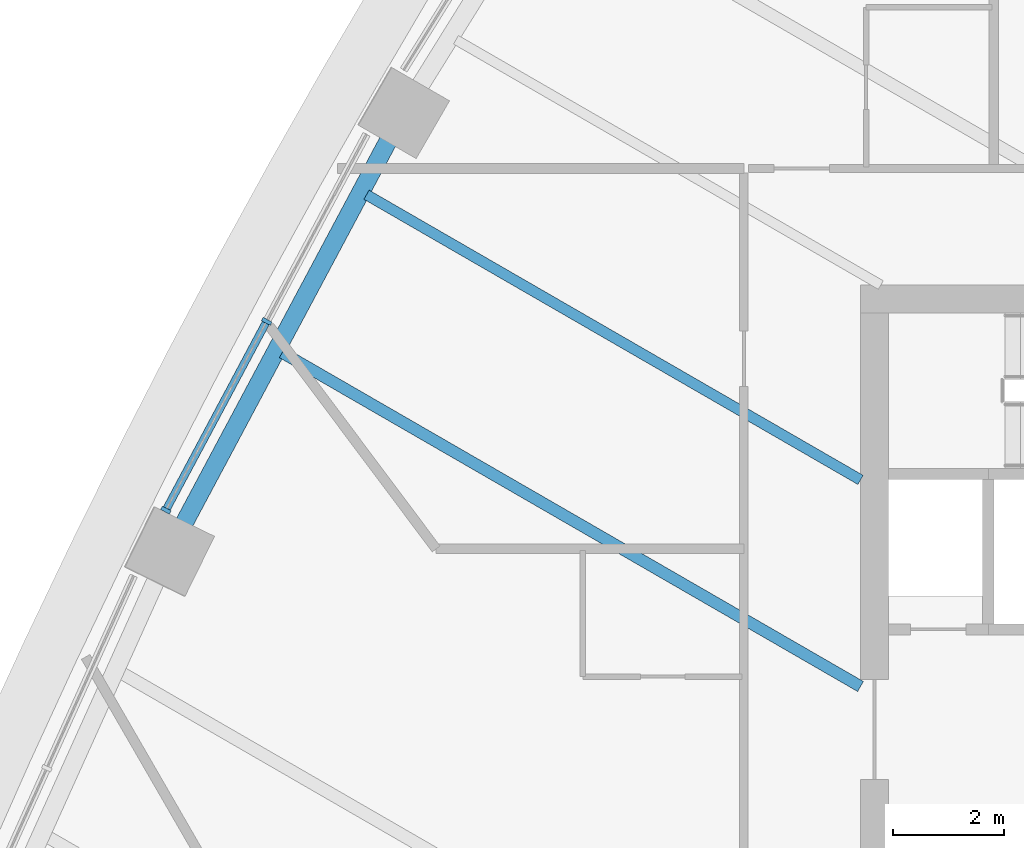
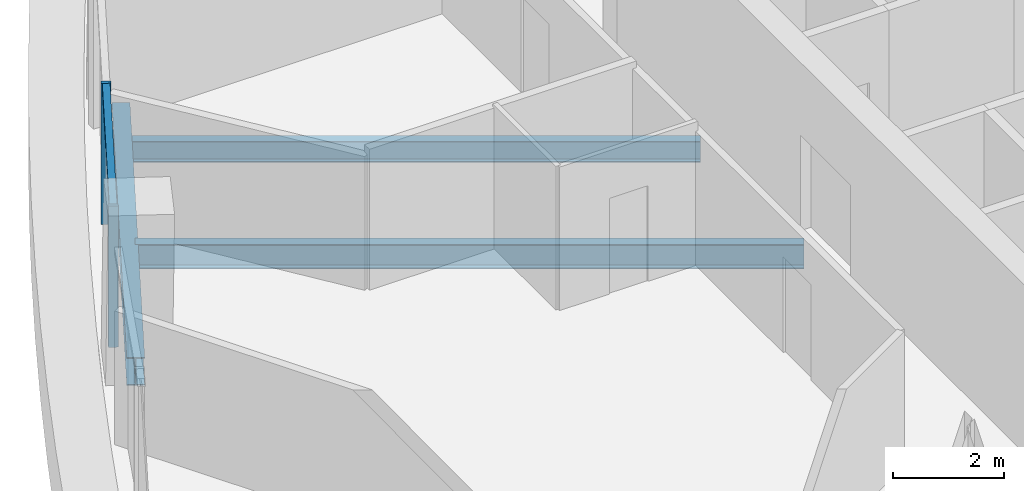
# One storey, part 3 of 22: 3 beams, 3 members, 1 element without a shape of its own.
"""IFC4 building model written with IfcOpenShell, lengths in metres."""

from ifc_helpers import new_model, si_unit, direction, frame, origin, origin_2d, place, context, subcontext, project, spatial, rectangle, i_section, extrude, material, layer, layer_set, material_profile, profile_set, type_object, element, aggregate, save


model = new_model("IFC4")

# Units and contexts
model_context = context("Model", 3, precision=1e-05, world=origin(), true_north=direction((0.0, 1.0)))
body_context = subcontext(model_context, "Body", "Model", "MODEL_VIEW")
ifc_project = project(units=[si_unit("LENGTHUNIT", "METRE"), si_unit("AREAUNIT", "SQUARE_METRE"), si_unit("VOLUMEUNIT", "CUBIC_METRE"), si_unit("PLANEANGLEUNIT", "RADIAN"), si_unit("MASSUNIT", "GRAM", prefix="KILO")], contexts=[model_context])

# Site, building, storey
site_placement = place(None, origin())
site = spatial("IfcSite", under=ifc_project, at=site_placement, CompositionType="ELEMENT")
building_placement = place(site_placement, origin())
building = spatial("IfcBuilding", under=site, at=building_placement, Name="Sierra Prisma Convention Tower", CompositionType="ELEMENT")
storey_placement = place(building_placement, frame((0.0, 0.0, 96.10009765625)))
storey = spatial("IfcBuildingStorey", under=building, at=storey_placement, Name="L20", CompositionType="ELEMENT", Elevation=96.10009765625)

# Curtain wall, members
ifc_material_1 = material(Name="Aluminium and glass curtain wall", Category="aluminium")
ifc_layer = layer(ifc_material_1, 0.179931640625)
ifc_layer_set = layer_set([ifc_layer], Name="CW-1 Plain shaft curtain wall")
curtain_wall_type = type_object("IfcCurtainWallType", Name="CW-1 Plain shaft curtain wall", PredefinedType="NOTDEFINED", material=ifc_layer_set)
curtain_wall_placement = place(storey_placement, origin())
curtain_wall = element("IfcCurtainWall", 1, at=curtain_wall_placement, inside=storey, type_object=curtain_wall_type, Name="CW-1 NW4 L20", PredefinedType="NOTDEFINED")
ifc_material_2 = material(Name="Aluminium 6063-T6 bronze anodised", Category="aluminium")
ifc_material_profile_1 = material_profile(ifc_material_2, rectangle(XDim=0.179931640625, YDim=0.070068359375, at=origin_2d()), Name="ALU MULLION 70x180")
ifc_profile_set_1 = profile_set([ifc_material_profile_1], Name="Aluminium 6063-T6 bronze anodised")
member_type_1 = type_object("IfcMemberType", Name="CW mullion bronze", PredefinedType="MULLION", material=ifc_profile_set_1)
member_1_placement = place(storey_placement, frame((-21.6943359375, 7.345703125, 0.0), z_axis=(0.0, 0.0, 1.0), x_axis=(0.882175615689, -0.470920569823, 0.0)))
member_1 = element("IfcMember", 2, at=member_1_placement, type_object=member_type_1, Name="CW-1 mullion NW4.2", PredefinedType="MULLION", context=body_context, shape_type="SweptSolid", body=[
    extrude(rectangle(XDim=0.179931640625, YDim=0.070068359375, at=origin_2d()), origin(), (0.0, 0.0, 1.0), 3.099853515625),
])
member_2_placement = place(storey_placement, frame((-23.5087890625, 3.946533203125, 0.0), z_axis=(0.0, 0.0, 1.0), x_axis=(0.882175615689, -0.470920569823, 0.0)))
member_2 = element("IfcMember", 3, at=member_2_placement, type_object=member_type_1, Name="CW-1 mullion NW4.3", PredefinedType="MULLION", context=body_context, shape_type="SweptSolid", body=[
    extrude(rectangle(XDim=0.179931640625, YDim=0.070068359375, at=origin_2d()), origin(), (0.0, 0.0, 1.0), 3.099853515625),
])
ifc_material_3 = material(Name="Aluminium 6063-T6 bronze anodised", Category="aluminium")
ifc_material_profile_2 = material_profile(ifc_material_3, rectangle(XDim=0.139892578125, YDim=0.1201171875, at=origin_2d()), Name="ALU TRANSOM 120x140")
ifc_profile_set_2 = profile_set([ifc_material_profile_2], Name="Aluminium 6063-T6 bronze anodised")
member_type_2 = type_object("IfcMemberType", Name="CW transom bronze", PredefinedType="USERDEFINED", material=ifc_profile_set_2)
member_3_placement = place(storey_placement, frame((-21.7109375, 7.31494140625, 3.039794921875), z_axis=(-0.470906409896, -0.882183174357, 0.0), x_axis=(0.882183174357, -0.470906409896, 0.0)))
member_3 = element("IfcMember", 4, at=member_3_placement, type_object=member_type_2, Name="CW-1 transom NW4.2", ObjectType="TRANSOM", PredefinedType="USERDEFINED", context=body_context, shape_type="SweptSolid", body=[
    extrude(rectangle(XDim=0.139892578125, YDim=0.1201171875, at=origin_2d()), origin(), (0.0, 0.0, 1.0), 3.783203125),
])
aggregate(curtain_wall, [member_1, member_2, member_3])

# Beams
ifc_material_4 = material(Name="Steel ASTM A992 Gr 50", Category="steel")
ifc_material_profile_3 = material_profile(ifc_material_4, i_section(OverallWidth=0.18994140625, OverallDepth=0.45703125, WebThickness=0.009033203125, FlangeThickness=0.014404296875, at=origin_2d()), Name="W460x74")
ifc_profile_set_3 = profile_set([ifc_material_profile_3], Name="Steel ASTM A992 Gr 50")
beam_type_1 = type_object("IfcBeamType", Name="Floor joist W460x74", PredefinedType="JOIST", material=ifc_profile_set_3)
beam_1_placement = place(storey_placement, frame((-19.895751953125, 9.626953125, -0.378662109375), z_axis=(0.866024495625, -0.500001572974, 0.0), x_axis=(0.500001572974, 0.866024495625, 0.0)))
element("IfcBeam", 5, at=beam_1_placement, inside=storey, type_object=beam_type_1, Name="Floor joist L20 NW09", PredefinedType="JOIST", context=body_context, shape_type="SweptSolid", body=[
    extrude(i_section(OverallWidth=0.18994140625, OverallDepth=0.45703125, WebThickness=0.009033203125, FlangeThickness=0.014404296875, at=origin_2d()), origin(), (0.0, 0.0, 1.0), 10.27197265625),
])
ifc_material_5 = material(Name="Steel ASTM A992 Gr 50", Category="steel")
ifc_material_profile_4 = material_profile(ifc_material_5, i_section(OverallWidth=0.208984375, OverallDepth=0.532958984375, WebThickness=0.01025390625, FlangeThickness=0.015625, at=origin_2d()), Name="W530x92")
ifc_profile_set_4 = profile_set([ifc_material_profile_4], Name="Steel ASTM A992 Gr 50")
beam_type_2 = type_object("IfcBeamType", Name="Floor joist W530x92", PredefinedType="JOIST", material=ifc_profile_set_4)
beam_2_placement = place(storey_placement, frame((-21.413818359375, 6.783447265625, -0.41650390625), z_axis=(0.866024311288, -0.500001892254, 0.0), x_axis=(0.500001892254, 0.866024311288, 0.0)))
element("IfcBeam", 6, at=beam_2_placement, inside=storey, type_object=beam_type_2, Name="Floor joist L20 NW10", PredefinedType="JOIST", context=body_context, shape_type="SweptSolid", body=[
    extrude(i_section(OverallWidth=0.208984375, OverallDepth=0.532958984375, WebThickness=0.01025390625, FlangeThickness=0.015625, at=origin_2d()), origin(), (0.0, 0.0, 1.0), 12.02490234375),
])
ifc_material_6 = material(Name="Steel ASTM A992 Gr 50", Category="steel")
ifc_material_profile_5 = material_profile(ifc_material_6, i_section(OverallWidth=0.324951171875, OverallDepth=0.615966796875, WebThickness=0.013916015625, FlangeThickness=0.021484375, at=origin_2d()), Name="W610x174")
ifc_profile_set_5 = profile_set([ifc_material_profile_5], Name="Steel ASTM A992 Gr 50")
beam_type_3 = type_object("IfcBeamType", Name="Spandrel beam W610x174", PredefinedType="BEAM", material=ifc_profile_set_5)
beam_3_placement = place(storey_placement, frame((-19.460693359375, 10.68115234375, -0.4580078125), z_axis=(-0.470914433315, -0.882178891436, 0.0), x_axis=(0.882178891436, -0.470914433315, 0.0)))
element("IfcBeam", 7, at=beam_3_placement, inside=storey, type_object=beam_type_3, Name="Spandrel L20-16", PredefinedType="BEAM", context=body_context, shape_type="SweptSolid", body=[
    extrude(i_section(OverallWidth=0.324951171875, OverallDepth=0.615966796875, WebThickness=0.013916015625, FlangeThickness=0.021484375, at=origin_2d()), origin(), (0.0, 0.0, 1.0), 8.001708984375),
])

save(model, "model.ifc")
